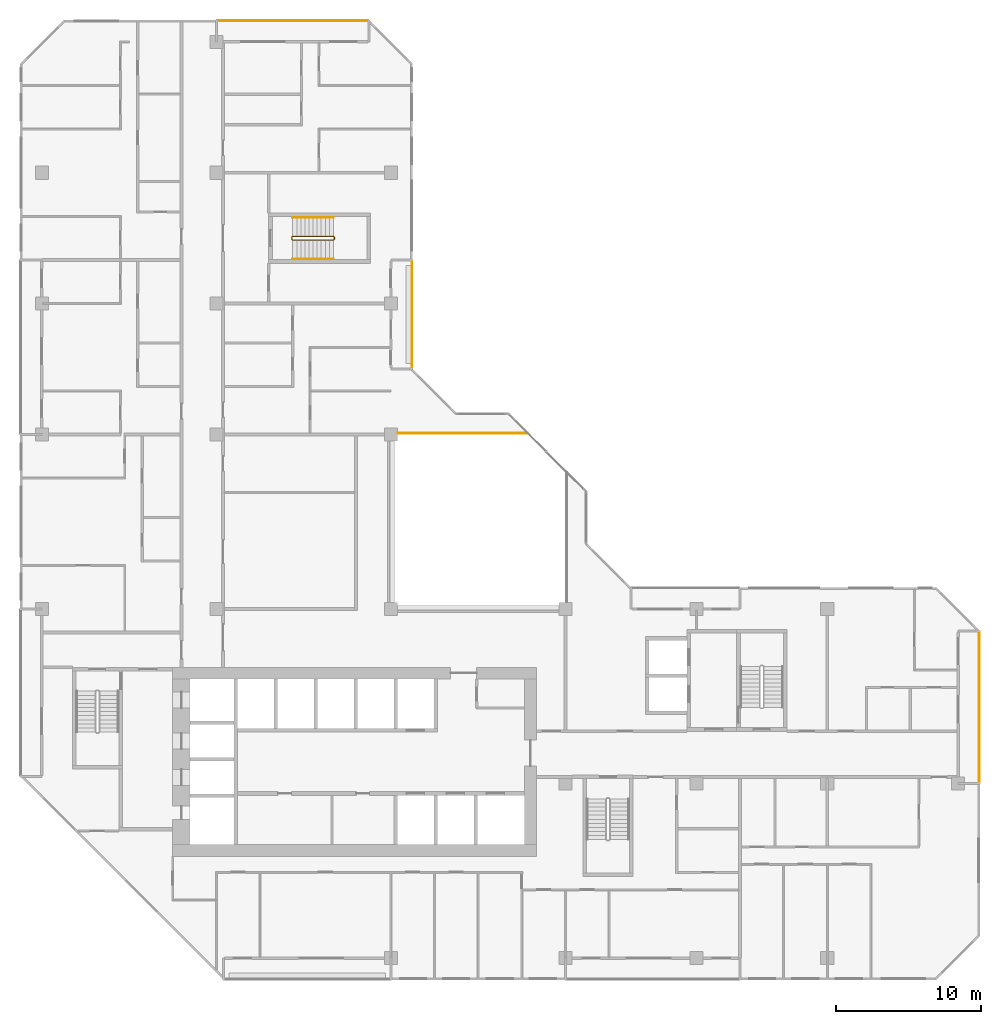
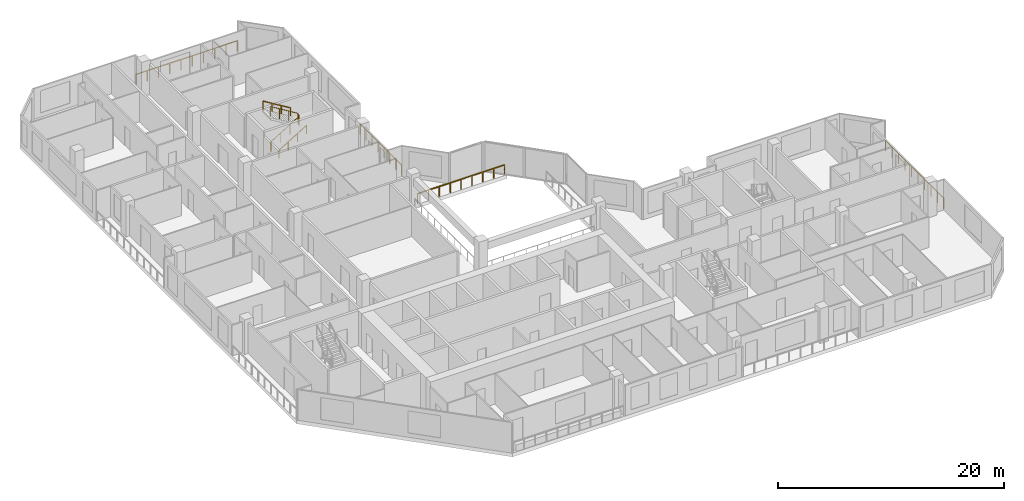
# One storey, part 15 of 15: 7 railings.
"""IFC4 building model written with IfcOpenShell, lengths in metres."""

from ifc_helpers import new_model, si_unit, direction, frame, origin, origin_2d, place, context, subcontext, project, spatial, rectangle, extrude, material, type_object, element, save


model = new_model("IFC4")

# Units and contexts
model_context = context("Model", 3, precision=1e-05, world=origin(), true_north=direction((0.0, 1.0)))
body_context = subcontext(model_context, "Body", "Model", "MODEL_VIEW")
ifc_project = project(units=[si_unit("LENGTHUNIT", "METRE"), si_unit("AREAUNIT", "SQUARE_METRE"), si_unit("VOLUMEUNIT", "CUBIC_METRE"), si_unit("PLANEANGLEUNIT", "RADIAN"), si_unit("MASSUNIT", "GRAM", prefix="KILO")], contexts=[model_context])

# Site, building, storey
site_placement = place(None, origin())
site = spatial("IfcSite", under=ifc_project, at=site_placement, CompositionType="ELEMENT")
building_placement = place(site_placement, origin())
building = spatial("IfcBuilding", under=site, at=building_placement, Name="Chenar Terraces", CompositionType="ELEMENT")
storey_placement = place(building_placement, frame((0.0, 0.0, 202.39990234375)))
storey = spatial("IfcBuildingStorey", under=building, at=storey_placement, Name="L47", CompositionType="ELEMENT", Elevation=202.39990234375)

# Railings
ifc_material_1 = material(Name="Powder-coated steel", Category="steel")
railing_type_1 = type_object("IfcRailingType", Name="Guard 1100 steel rail with glass infill", PredefinedType="GUARDRAIL", material=ifc_material_1)
railing_1_placement = place(storey_placement, frame((24.5, 36.10009765625, 0.0)))
element("IfcRailing", 1, at=railing_1_placement, inside=storey, type_object=railing_type_1, Name="Guard L47-2", PredefinedType="GUARDRAIL", context=body_context, shape_type="SweptSolid", body=[
    extrude(rectangle(XDim=0.06005859375, YDim=0.06005859375, at=origin_2d()), frame((0.0, 0.0, 1.070068359375), z_axis=(1.0, 0.0, 0.0), x_axis=(0.0, 1.0, 0.0)), (0.0, 0.0, 1.0), 8.89990234375),
    extrude(rectangle(XDim=0.050048828125, YDim=0.050048828125, at=origin_2d()), origin(), (0.0, 0.0, 1.0), 1.0400390625),
    extrude(rectangle(XDim=0.050048828125, YDim=0.050048828125, at=origin_2d()), frame((1.112548828125, 0.0, 0.0)), (0.0, 0.0, 1.0), 1.0400390625),
    extrude(rectangle(XDim=0.050048828125, YDim=0.050048828125, at=origin_2d()), frame((2.22509765625, 0.0, 0.0)), (0.0, 0.0, 1.0), 1.0400390625),
    extrude(rectangle(XDim=0.050048828125, YDim=0.050048828125, at=origin_2d()), frame((3.33740234375, 0.0, 0.0)), (0.0, 0.0, 1.0), 1.0400390625),
    extrude(rectangle(XDim=0.050048828125, YDim=0.050048828125, at=origin_2d()), frame((4.449951171875, 0.0, 0.0)), (0.0, 0.0, 1.0), 1.0400390625),
    extrude(rectangle(XDim=0.050048828125, YDim=0.050048828125, at=origin_2d()), frame((5.5625, 0.0, 0.0)), (0.0, 0.0, 1.0), 1.0400390625),
    extrude(rectangle(XDim=0.050048828125, YDim=0.050048828125, at=origin_2d()), frame((6.6748046875, 0.0, 0.0)), (0.0, 0.0, 1.0), 1.0400390625),
    extrude(rectangle(XDim=0.050048828125, YDim=0.050048828125, at=origin_2d()), frame((7.787353515625, 0.0, 0.0)), (0.0, 0.0, 1.0), 1.0400390625),
    extrude(rectangle(XDim=0.050048828125, YDim=0.050048828125, at=origin_2d()), frame((8.89990234375, 0.0, 0.0)), (0.0, 0.0, 1.0), 1.0400390625),
])
ifc_material_2 = material(Name="Stainless steel and glass", Category="steel")
railing_type_2 = type_object("IfcRailingType", Name="Loggia guard 1150", PredefinedType="GUARDRAIL", material=ifc_material_2)
railing_2_placement = place(storey_placement, frame((25.449951171875, 40.574951171875, 0.0)))
element("IfcRailing", 2, at=railing_2_placement, inside=storey, type_object=railing_type_2, Name="Loggia guard", PredefinedType="GUARDRAIL", context=body_context, shape_type="SweptSolid", body=[
    extrude(rectangle(XDim=0.048095703125, YDim=0.048095703125, at=origin_2d()), frame((0.0, 0.0, 1.1259765625), z_axis=(0.0, 1.0, 0.0), x_axis=(-1.0, 0.0, 0.0)), (0.0, 0.0, 1.0), 7.35009765625),
    extrude(rectangle(XDim=0.0419921875, YDim=0.0419921875, at=origin_2d()), origin(), (0.0, 0.0, 1.0), 1.101806640625),
    extrude(rectangle(XDim=0.0419921875, YDim=0.0419921875, at=origin_2d()), frame((0.0, 1.050048828125, 0.0)), (0.0, 0.0, 1.0), 1.101806640625),
    extrude(rectangle(XDim=0.0419921875, YDim=0.0419921875, at=origin_2d()), frame((0.0, 2.10009765625, 0.0)), (0.0, 0.0, 1.0), 1.101806640625),
    extrude(rectangle(XDim=0.0419921875, YDim=0.0419921875, at=origin_2d()), frame((0.0, 3.150146484375, 0.0)), (0.0, 0.0, 1.0), 1.101806640625),
    extrude(rectangle(XDim=0.0419921875, YDim=0.0419921875, at=origin_2d()), frame((0.0, 4.199951171875, 0.0)), (0.0, 0.0, 1.0), 1.101806640625),
    extrude(rectangle(XDim=0.0419921875, YDim=0.0419921875, at=origin_2d()), frame((0.0, 5.25, 0.0)), (0.0, 0.0, 1.0), 1.101806640625),
    extrude(rectangle(XDim=0.0419921875, YDim=0.0419921875, at=origin_2d()), frame((0.0, 6.300048828125, 0.0)), (0.0, 0.0, 1.0), 1.101806640625),
    extrude(rectangle(XDim=0.0419921875, YDim=0.0419921875, at=origin_2d()), frame((0.0, 7.35009765625, 0.0)), (0.0, 0.0, 1.0), 1.101806640625),
])
railing_3_placement = place(storey_placement, frame((64.449951171875, 12.074951171875, 0.0)))
element("IfcRailing", 3, at=railing_3_placement, inside=storey, type_object=railing_type_2, Name="Loggia guard", PredefinedType="GUARDRAIL", context=body_context, shape_type="SweptSolid", body=[
    extrude(rectangle(XDim=0.048095703125, YDim=0.048095703125, at=origin_2d()), frame((0.0, 0.0, 1.1259765625), z_axis=(0.0, 1.0, 0.0), x_axis=(-1.0, 0.0, 0.0)), (0.0, 0.0, 1.0), 10.35009765625),
    extrude(rectangle(XDim=0.0419921875, YDim=0.0419921875, at=origin_2d()), origin(), (0.0, 0.0, 1.0), 1.101806640625),
    extrude(rectangle(XDim=0.0419921875, YDim=0.0419921875, at=origin_2d()), frame((0.0, 1.14990234375, 0.0)), (0.0, 0.0, 1.0), 1.101806640625),
    extrude(rectangle(XDim=0.0419921875, YDim=0.0419921875, at=origin_2d()), frame((0.0, 2.300048828125, 0.0)), (0.0, 0.0, 1.0), 1.101806640625),
    extrude(rectangle(XDim=0.0419921875, YDim=0.0419921875, at=origin_2d()), frame((0.0, 3.449951171875, 0.0)), (0.0, 0.0, 1.0), 1.101806640625),
    extrude(rectangle(XDim=0.0419921875, YDim=0.0419921875, at=origin_2d()), frame((0.0, 4.60009765625, 0.0)), (0.0, 0.0, 1.0), 1.101806640625),
    extrude(rectangle(XDim=0.0419921875, YDim=0.0419921875, at=origin_2d()), frame((0.0, 5.75, 0.0)), (0.0, 0.0, 1.0), 1.101806640625),
    extrude(rectangle(XDim=0.0419921875, YDim=0.0419921875, at=origin_2d()), frame((0.0, 6.900146484375, 0.0)), (0.0, 0.0, 1.0), 1.101806640625),
    extrude(rectangle(XDim=0.0419921875, YDim=0.0419921875, at=origin_2d()), frame((0.0, 8.050048828125, 0.0)), (0.0, 0.0, 1.0), 1.101806640625),
    extrude(rectangle(XDim=0.0419921875, YDim=0.0419921875, at=origin_2d()), frame((0.0, 9.2001953125, 0.0)), (0.0, 0.0, 1.0), 1.101806640625),
    extrude(rectangle(XDim=0.0419921875, YDim=0.0419921875, at=origin_2d()), frame((0.0, 10.35009765625, 0.0)), (0.0, 0.0, 1.0), 1.101806640625),
])
railing_4_placement = place(storey_placement, frame((22.425048828125, 64.449951171875, 0.0)))
element("IfcRailing", 4, at=railing_4_placement, inside=storey, type_object=railing_type_2, Name="Loggia guard", PredefinedType="GUARDRAIL", context=body_context, shape_type="SweptSolid", body=[
    extrude(rectangle(XDim=0.048095703125, YDim=0.048095703125, at=origin_2d()), frame((0.0, 0.0, 1.1259765625), z_axis=(-1.0, 0.0, 0.0), x_axis=(0.0, -1.0, 0.0)), (0.0, 0.0, 1.0), 10.35009765625),
    extrude(rectangle(XDim=0.0419921875, YDim=0.0419921875, at=origin_2d()), origin(), (0.0, 0.0, 1.0), 1.101806640625),
    extrude(rectangle(XDim=0.0419921875, YDim=0.0419921875, at=origin_2d()), frame((-1.14990234375, 0.0, 0.0)), (0.0, 0.0, 1.0), 1.101806640625),
    extrude(rectangle(XDim=0.0419921875, YDim=0.0419921875, at=origin_2d()), frame((-2.300048828125, 0.0, 0.0)), (0.0, 0.0, 1.0), 1.101806640625),
    extrude(rectangle(XDim=0.0419921875, YDim=0.0419921875, at=origin_2d()), frame((-3.449951171875, 0.0, 0.0)), (0.0, 0.0, 1.0), 1.101806640625),
    extrude(rectangle(XDim=0.0419921875, YDim=0.0419921875, at=origin_2d()), frame((-4.60009765625, 0.0, 0.0)), (0.0, 0.0, 1.0), 1.101806640625),
    extrude(rectangle(XDim=0.0419921875, YDim=0.0419921875, at=origin_2d()), frame((-5.75, 0.0, 0.0)), (0.0, 0.0, 1.0), 1.101806640625),
    extrude(rectangle(XDim=0.0419921875, YDim=0.0419921875, at=origin_2d()), frame((-6.900146484375, 0.0, 0.0)), (0.0, 0.0, 1.0), 1.101806640625),
    extrude(rectangle(XDim=0.0419921875, YDim=0.0419921875, at=origin_2d()), frame((-8.050048828125, 0.0, 0.0)), (0.0, 0.0, 1.0), 1.101806640625),
    extrude(rectangle(XDim=0.0419921875, YDim=0.0419921875, at=origin_2d()), frame((-9.2001953125, 0.0, 0.0)), (0.0, 0.0, 1.0), 1.101806640625),
    extrude(rectangle(XDim=0.0419921875, YDim=0.0419921875, at=origin_2d()), frame((-10.35009765625, 0.0, 0.0)), (0.0, 0.0, 1.0), 1.101806640625),
])
ifc_material_3 = material(Name="Powder-coated steel", Category="steel")
railing_type_3 = type_object("IfcRailingType", Name="Stair guard 1100", PredefinedType="GUARDRAIL", material=ifc_material_3)
railing_5_placement = place(storey_placement, frame((17.25, 49.625, 3.75)))
element("IfcRailing", 5, at=railing_5_placement, inside=storey, type_object=railing_type_3, Name="L47 ST4 stair guard 1", PredefinedType="GUARDRAIL", context=body_context, shape_type="SweptSolid", body=[
    extrude(rectangle(XDim=0.048095703125, YDim=0.048095703125, at=origin_2d()), frame((0.0, 0.0, 1.076171875), z_axis=(0.854202870247, 0.0, -0.519939858505), x_axis=(0.0, 1.0, 0.0)), (0.0, 0.0, 1.0), 3.278076171875),
    extrude(rectangle(XDim=0.048095703125, YDim=0.048095703125, at=origin_2d()), frame((2.800048828125, 0.0, -0.62841796875), z_axis=(0.270899902878, -0.270899902878, -0.923702595667), x_axis=(0.707106781187, 0.707106781187, 0.0)), (0.0, 0.0, 1.0), 0.184814453125),
    extrude(rectangle(XDim=0.048095703125, YDim=0.048095703125, at=origin_2d()), frame((2.85009765625, -0.050048828125, -0.798828125), z_axis=(0.0, -1.0, 0.0), x_axis=(1.0, 0.0, 0.0)), (0.0, 0.0, 1.0), 0.14990234375),
    extrude(rectangle(XDim=0.048095703125, YDim=0.048095703125, at=origin_2d()), frame((2.85009765625, -0.199951171875, -0.798828125), z_axis=(-0.707106781187, -0.707106781187, 0.0), x_axis=(0.707106781187, -0.707106781187, 0.0)), (0.0, 0.0, 1.0), 0.07080078125),
    extrude(rectangle(XDim=0.048095703125, YDim=0.048095703125, at=origin_2d()), frame((2.800048828125, -0.25, -0.798828125), z_axis=(-0.854202870247, 0.0, -0.519939858505), x_axis=(0.0, -1.0, 0.0)), (0.0, 0.0, 1.0), 3.278076171875),
    extrude(rectangle(XDim=0.048095703125, YDim=0.048095703125, at=origin_2d()), frame((0.0, -0.25, -2.50341796875), z_axis=(-0.270899902878, 0.270899902878, -0.923702595667), x_axis=(-0.707106781187, -0.707106781187, 0.0)), (0.0, 0.0, 1.0), 0.184814453125),
    extrude(rectangle(XDim=0.048095703125, YDim=0.048095703125, at=origin_2d()), frame((-0.050048828125, -0.199951171875, -2.673828125), z_axis=(0.0, 1.0, 0.0), x_axis=(-1.0, 0.0, 0.0)), (0.0, 0.0, 1.0), 0.14990234375),
    extrude(rectangle(XDim=0.0419921875, YDim=0.0419921875, at=origin_2d()), origin(), (0.0, 0.0, 1.0), 1.052001953125),
    extrude(rectangle(XDim=0.0419921875, YDim=0.0419921875, at=origin_2d()), frame((0.933349609375, 0.0, -0.568115234375)), (0.0, 0.0, 1.0), 1.052001953125),
    extrude(rectangle(XDim=0.0419921875, YDim=0.0419921875, at=origin_2d()), frame((1.86669921875, 0.0, -1.13623046875)), (0.0, 0.0, 1.0), 1.052001953125),
    extrude(rectangle(XDim=0.0419921875, YDim=0.0419921875, at=origin_2d()), frame((2.800048828125, 0.0, -1.704345703125)), (0.0, 0.0, 1.0), 1.052001953125),
    extrude(rectangle(XDim=0.0419921875, YDim=0.0419921875, at=origin_2d()), frame((2.85009765625, -0.050048828125, -1.875)), (0.0, 0.0, 1.0), 1.052001953125),
    extrude(rectangle(XDim=0.0419921875, YDim=0.0419921875, at=origin_2d()), frame((2.85009765625, -0.199951171875, -1.875)), (0.0, 0.0, 1.0), 1.052001953125),
    extrude(rectangle(XDim=0.0419921875, YDim=0.0419921875, at=origin_2d()), frame((2.800048828125, -0.25, -1.875)), (0.0, 0.0, 1.0), 1.052001953125),
    extrude(rectangle(XDim=0.0419921875, YDim=0.0419921875, at=origin_2d()), frame((1.86669921875, -0.25, -2.443115234375)), (0.0, 0.0, 1.0), 1.052001953125),
    extrude(rectangle(XDim=0.0419921875, YDim=0.0419921875, at=origin_2d()), frame((0.933349609375, -0.25, -3.01123046875)), (0.0, 0.0, 1.0), 1.052001953125),
    extrude(rectangle(XDim=0.0419921875, YDim=0.0419921875, at=origin_2d()), frame((0.0, -0.25, -3.579345703125)), (0.0, 0.0, 1.0), 1.052001953125),
    extrude(rectangle(XDim=0.0419921875, YDim=0.0419921875, at=origin_2d()), frame((-0.050048828125, -0.199951171875, -3.75)), (0.0, 0.0, 1.0), 1.052001953125),
    extrude(rectangle(XDim=0.0419921875, YDim=0.0419921875, at=origin_2d()), frame((-0.050048828125, -0.050048828125, -3.75)), (0.0, 0.0, 1.0), 1.052001953125),
])
ifc_material_4 = material(Name="Powder-coated steel", Category="steel")
railing_type_4 = type_object("IfcRailingType", Name="Stair handrail 900", PredefinedType="HANDRAIL", material=ifc_material_4)
railing_6_placement = place(storey_placement, frame((17.25, 48.074951171875, 0.170654296875)))
element("IfcRailing", 6, at=railing_6_placement, inside=storey, type_object=railing_type_4, Name="L47 ST4 stair handrail 1", PredefinedType="HANDRAIL", context=body_context, shape_type="SweptSolid", body=[
    extrude(rectangle(XDim=0.048095703125, YDim=0.048095703125, at=origin_2d()), frame((0.0, 0.0, 0.8759765625), z_axis=(0.854202870247, 0.0, 0.519939858505), x_axis=(0.0, 1.0, 0.0)), (0.0, 0.0, 1.0), 3.278076171875),
    extrude(rectangle(XDim=0.0419921875, YDim=0.0419921875, at=origin_2d()), origin(), (0.0, 0.0, 1.0), 0.851806640625),
    extrude(rectangle(XDim=0.0419921875, YDim=0.0419921875, at=origin_2d()), frame((0.933349609375, 0.0, 0.568115234375)), (0.0, 0.0, 1.0), 0.851806640625),
    extrude(rectangle(XDim=0.0419921875, YDim=0.0419921875, at=origin_2d()), frame((1.86669921875, 0.0, 1.13623046875)), (0.0, 0.0, 1.0), 0.851806640625),
    extrude(rectangle(XDim=0.0419921875, YDim=0.0419921875, at=origin_2d()), frame((2.800048828125, 0.0, 1.704345703125)), (0.0, 0.0, 1.0), 0.851806640625),
])
railing_7_placement = place(storey_placement, frame((20.050048828125, 50.925048828125, 2.045654296875)))
element("IfcRailing", 7, at=railing_7_placement, inside=storey, type_object=railing_type_4, Name="L47 ST4 stair handrail 2", PredefinedType="HANDRAIL", context=body_context, shape_type="SweptSolid", body=[
    extrude(rectangle(XDim=0.048095703125, YDim=0.048095703125, at=origin_2d()), frame((0.0, 0.0, 0.8759765625), z_axis=(-0.854202870247, 0.0, 0.519939858505), x_axis=(0.0, -1.0, 0.0)), (0.0, 0.0, 1.0), 3.278076171875),
    extrude(rectangle(XDim=0.0419921875, YDim=0.0419921875, at=origin_2d()), origin(), (0.0, 0.0, 1.0), 0.851806640625),
    extrude(rectangle(XDim=0.0419921875, YDim=0.0419921875, at=origin_2d()), frame((-0.933349609375, 0.0, 0.568115234375)), (0.0, 0.0, 1.0), 0.851806640625),
    extrude(rectangle(XDim=0.0419921875, YDim=0.0419921875, at=origin_2d()), frame((-1.86669921875, 0.0, 1.13623046875)), (0.0, 0.0, 1.0), 0.851806640625),
    extrude(rectangle(XDim=0.0419921875, YDim=0.0419921875, at=origin_2d()), frame((-2.800048828125, 0.0, 1.704345703125)), (0.0, 0.0, 1.0), 0.851806640625),
])

save(model, "model.ifc")
